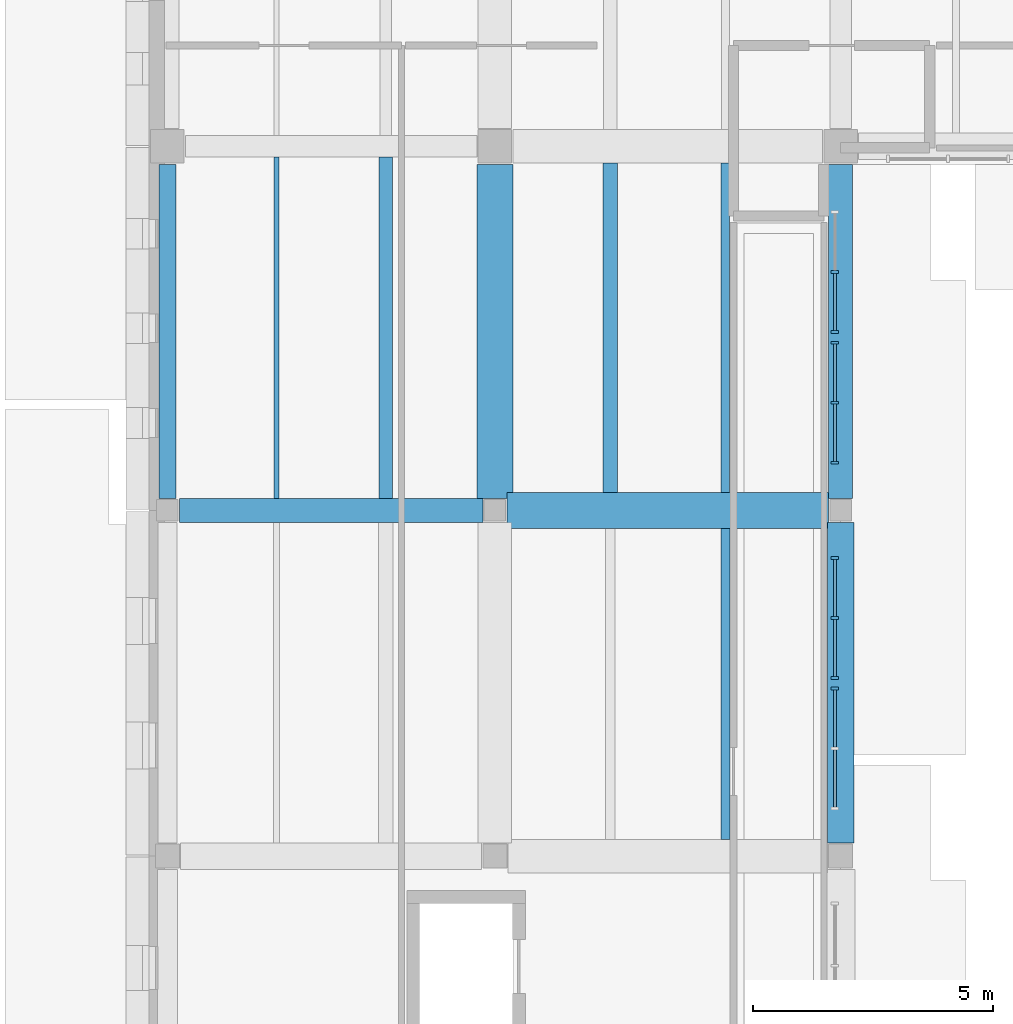
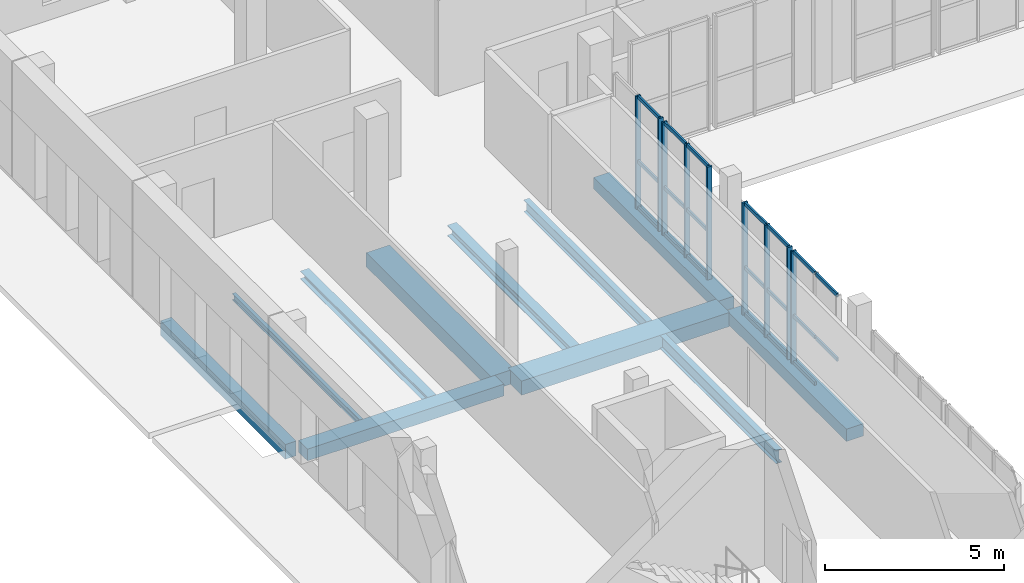
# One storey, part 21 of 77: 29 members, 11 beams, 4 elements without a shape of their own.
"""IFC4 building model written with IfcOpenShell, lengths in metres."""

from ifc_helpers import new_model, si_unit, direction, frame, origin, origin_2d, place, context, subcontext, project, spatial, rectangle, i_section, extrude, material, layer, layer_set, material_profile, profile_set, type_object, element, aggregate, save


model = new_model("IFC4")

# Units and contexts
model_context = context("Model", 3, precision=1e-05, world=origin(), true_north=direction((0.0, 1.0)))
body_context = subcontext(model_context, "Body", "Model", "MODEL_VIEW")
ifc_project = project(units=[si_unit("LENGTHUNIT", "METRE"), si_unit("AREAUNIT", "SQUARE_METRE"), si_unit("VOLUMEUNIT", "CUBIC_METRE"), si_unit("PLANEANGLEUNIT", "RADIAN"), si_unit("MASSUNIT", "GRAM", prefix="KILO")], contexts=[model_context])

# Site, building, storey
site_placement = place(None, origin())
site = spatial("IfcSite", under=ifc_project, at=site_placement, CompositionType="ELEMENT")
building_placement = place(site_placement, origin())
building = spatial("IfcBuilding", under=site, at=building_placement, Name="Vardoun Plaza Health Centre", CompositionType="ELEMENT")
storey_placement = place(building_placement, origin())
storey = spatial("IfcBuildingStorey", under=building, at=storey_placement, Name="L00", CompositionType="ELEMENT", Elevation=0.0)

# Beams
ifc_material_1 = material(Name="Concrete C35/45", Category="concrete")
ifc_material_profile_1 = material_profile(ifc_material_1, rectangle(XDim=0.35009765625, YDim=0.5, at=origin_2d()), Name="RC-BM 350x500")
ifc_profile_set_1 = profile_set([ifc_material_profile_1], Name="Concrete C35/45")
beam_type_1 = type_object("IfcBeamType", Name="B-08", PredefinedType="SPANDREL", material=ifc_profile_set_1)
beam_1_placement = place(storey_placement, frame((4.8798828125, 94.150146484375, -0.514892578125), z_axis=(0.0, 1.0, 0.0), x_axis=(-1.0, 0.0, 0.0)))
element("IfcBeam", 1, at=beam_1_placement, inside=storey, type_object=beam_type_1, Name="V3 L00 Beam B-V3-L00-Y27", PredefinedType="SPANDREL", context=body_context, shape_type="SweptSolid", body=[
    extrude(rectangle(XDim=0.35009765625, YDim=0.5, at=origin_2d()), origin(), (0.0, 0.0, 1.0), 6.954833984375),
])
ifc_material_2 = material(Name="Concrete C35/45", Category="concrete")
ifc_material_profile_2 = material_profile(ifc_material_2, rectangle(XDim=0.5, YDim=0.39990234375, at=origin_2d()), Name="RC-BM 500x400")
ifc_profile_set_2 = profile_set([ifc_material_profile_2], Name="Concrete C35/45")
beam_type_2 = type_object("IfcBeamType", Name="B-02", PredefinedType="BEAM", material=ifc_profile_set_2)
beam_2_placement = place(storey_placement, frame((5.1298828125, 93.900146484375, -0.465087890625), z_axis=(1.0, 0.0, 0.0), x_axis=(0.0, 1.0, 0.0)))
element("IfcBeam", 2, at=beam_2_placement, inside=storey, type_object=beam_type_2, Name="V3 L00 Beam B-V3-L00-X03", PredefinedType="BEAM", context=body_context, shape_type="SweptSolid", body=[
    extrude(rectangle(XDim=0.5, YDim=0.39990234375, at=origin_2d()), origin(), (0.0, 0.0, 1.0), 6.320068359375),
])
beam_3_placement = place(storey_placement, frame((18.89990234375, 94.150146484375, -0.465087890625), z_axis=(0.0, 1.0, 0.0), x_axis=(-1.0, 0.0, 0.0)))
element("IfcBeam", 3, at=beam_3_placement, inside=storey, type_object=beam_type_2, Name="V3 L00 Beam B-V3-L00-Y36", PredefinedType="BEAM", context=body_context, shape_type="SweptSolid", body=[
    extrude(rectangle(XDim=0.5, YDim=0.39990234375, at=origin_2d()), origin(), (0.0, 0.0, 1.0), 6.954833984375),
])
ifc_material_3 = material(Name="Concrete C35/45", Category="concrete")
ifc_material_profile_3 = material_profile(ifc_material_3, rectangle(XDim=0.550048828125, YDim=0.419921875, at=origin_2d()), Name="RC-BM 550x420")
ifc_profile_set_3 = profile_set([ifc_material_profile_3], Name="Concrete C35/45")
beam_type_3 = type_object("IfcBeamType", Name="B-03", PredefinedType="BEAM", material=ifc_profile_set_3)
beam_4_placement = place(storey_placement, frame((18.89990234375, 86.97509765625, -0.47509765625), z_axis=(0.0, 1.0, 0.0), x_axis=(-1.0, 0.0, 0.0)))
element("IfcBeam", 4, at=beam_4_placement, inside=storey, type_object=beam_type_3, Name="V3 L00 Beam B-V3-L00-Y35", PredefinedType="BEAM", context=body_context, shape_type="SweptSolid", body=[
    extrude(rectangle(XDim=0.550048828125, YDim=0.419921875, at=origin_2d()), origin(), (0.0, 0.0, 1.0), 6.675048828125),
])
ifc_material_4 = material(Name="Concrete C35/45", Category="concrete")
ifc_material_profile_4 = material_profile(ifc_material_4, rectangle(XDim=0.75, YDim=0.47998046875, at=origin_2d()), Name="RC-BM 750x480")
ifc_profile_set_4 = profile_set([ifc_material_profile_4], Name="Concrete C35/45")
beam_type_4 = type_object("IfcBeamType", Name="B-07", PredefinedType="BEAM", material=ifc_profile_set_4)
beam_5_placement = place(storey_placement, frame((11.949951171875, 93.900146484375, -0.5048828125), z_axis=(1.0, 0.0, 0.0), x_axis=(0.0, 1.0, 0.0)))
element("IfcBeam", 5, at=beam_5_placement, inside=storey, type_object=beam_type_4, Name="V3 L00 Beam B-V3-L00-X09", PredefinedType="BEAM", context=body_context, shape_type="SweptSolid", body=[
    extrude(rectangle(XDim=0.75, YDim=0.47998046875, at=origin_2d()), origin(), (0.0, 0.0, 1.0), 6.699951171875),
])
beam_6_placement = place(storey_placement, frame((11.699951171875, 94.150146484375, -0.5048828125), z_axis=(0.0, 1.0, 0.0), x_axis=(-1.0, 0.0, 0.0)))
element("IfcBeam", 6, at=beam_6_placement, inside=storey, type_object=beam_type_4, Name="V3 L00 Beam B-V3-L00-Y31", PredefinedType="BEAM", context=body_context, shape_type="SweptSolid", body=[
    extrude(rectangle(XDim=0.75, YDim=0.47998046875, at=origin_2d()), origin(), (0.0, 0.0, 1.0), 6.954833984375),
])
ifc_material_5 = material(Name="Steel S355J2", Category="steel")
ifc_material_profile_5 = material_profile(ifc_material_5, i_section(OverallWidth=0.280029296875, OverallDepth=0.27001953125, WebThickness=0.008056640625, FlangeThickness=0.012939453125, FilletRadius=0.02392578125, at=origin_2d()), Name="HEA 280")
ifc_profile_set_5 = profile_set([ifc_material_profile_5], Name="Steel S355J2")
beam_type_5 = type_object("IfcBeamType", Name="SB-06", PredefinedType="BEAM", material=ifc_profile_set_5)
beam_7_placement = place(storey_placement, frame((9.427001953125, 94.150146484375, -0.39990234375), z_axis=(0.0, 1.0, 0.0), x_axis=(-1.0, 0.0, 0.0)))
element("IfcBeam", 7, at=beam_7_placement, inside=storey, type_object=beam_type_5, Name="V3 L00 Secondary Floor Beam SJ-V3-L00-06", PredefinedType="BEAM", context=body_context, shape_type="SweptSolid", body=[
    extrude(i_section(OverallWidth=0.280029296875, OverallDepth=0.27001953125, WebThickness=0.008056640625, FlangeThickness=0.012939453125, FilletRadius=0.02392578125, at=origin_2d()), origin(), (0.0, 0.0, 1.0), 7.104736328125),
])
ifc_material_6 = material(Name="Steel S355J2", Category="steel")
ifc_material_profile_6 = material_profile(ifc_material_6, i_section(OverallWidth=0.300048828125, OverallDepth=0.360107421875, WebThickness=0.012451171875, FlangeThickness=0.0224609375, FilletRadius=0.027099609375, at=origin_2d()), Name="HEB 360")
ifc_profile_set_6 = profile_set([ifc_material_profile_6], Name="Steel S355J2")
beam_type_6 = type_object("IfcBeamType", Name="RB-04", PredefinedType="BEAM", material=ifc_profile_set_6)
beam_8_placement = place(storey_placement, frame((14.099853515625, 94.275146484375, -0.445068359375), z_axis=(0.0, 1.0, 0.0), x_axis=(-1.0, 0.0, 0.0)))
element("IfcBeam", 8, at=beam_8_placement, inside=storey, type_object=beam_type_6, Name="V3 L00 Secondary Floor Beam SJ-V3-L00-10", PredefinedType="BEAM", context=body_context, shape_type="SweptSolid", body=[
    extrude(i_section(OverallWidth=0.300048828125, OverallDepth=0.360107421875, WebThickness=0.012451171875, FlangeThickness=0.0224609375, FilletRadius=0.027099609375, at=origin_2d()), origin(), (0.0, 0.0, 1.0), 6.854736328125),
])
ifc_material_7 = material(Name="Steel S355J2", Category="steel")
ifc_material_profile_7 = material_profile(ifc_material_7, i_section(OverallWidth=0.110107421875, OverallDepth=0.219970703125, WebThickness=0.005859375, FlangeThickness=0.00927734375, FilletRadius=0.011962890625, at=origin_2d()), Name="IPE 220")
ifc_profile_set_7 = profile_set([ifc_material_profile_7], Name="Steel S355J2")
beam_type_7 = type_object("IfcBeamType", Name="SB-18", PredefinedType="JOIST", material=ifc_profile_set_7)
beam_9_placement = place(storey_placement, frame((7.153076171875, 94.150146484375, -0.375), z_axis=(0.0, 1.0, 0.0), x_axis=(-1.0, 0.0, 0.0)))
element("IfcBeam", 9, at=beam_9_placement, inside=storey, type_object=beam_type_7, Name="V3 L00 Secondary Floor Beam SJ-V3-L00-02", PredefinedType="JOIST", context=body_context, shape_type="SweptSolid", body=[
    extrude(i_section(OverallWidth=0.110107421875, OverallDepth=0.219970703125, WebThickness=0.005859375, FlangeThickness=0.00927734375, FilletRadius=0.011962890625, at=origin_2d()), origin(), (0.0, 0.0, 1.0), 7.104736328125),
])
ifc_material_8 = material(Name="Steel S355J2", Category="steel")
ifc_material_profile_8 = material_profile(ifc_material_8, i_section(OverallWidth=0.179931640625, OverallDepth=0.39990234375, WebThickness=0.008544921875, FlangeThickness=0.013427734375, FilletRadius=0.02099609375, at=origin_2d()), Name="IPE 400")
ifc_profile_set_8 = profile_set([ifc_material_profile_8], Name="Steel S355J2")
beam_type_8 = type_object("IfcBeamType", Name="SB-12", PredefinedType="BEAM", material=ifc_profile_set_8)
beam_10_placement = place(storey_placement, frame((16.500244140625, 94.275146484375, -0.465087890625), z_axis=(0.0, 1.0, 0.0), x_axis=(-1.0, 0.0, 0.0)))
element("IfcBeam", 10, at=beam_10_placement, inside=storey, type_object=beam_type_8, Name="V3 L00 Secondary Floor Beam SJ-V3-L00-14", PredefinedType="BEAM", context=body_context, shape_type="SweptSolid", body=[
    extrude(i_section(OverallWidth=0.179931640625, OverallDepth=0.39990234375, WebThickness=0.008544921875, FlangeThickness=0.013427734375, FilletRadius=0.02099609375, at=origin_2d()), origin(), (0.0, 0.0, 1.0), 6.854736328125),
])
ifc_material_9 = material(Name="Steel S355J2", Category="steel")
ifc_material_profile_9 = material_profile(ifc_material_9, i_section(OverallWidth=0.18994140625, OverallDepth=0.449951171875, WebThickness=0.009521484375, FlangeThickness=0.0146484375, FilletRadius=0.02099609375, at=origin_2d()), Name="IPE 450")
ifc_profile_set_9 = profile_set([ifc_material_profile_9], Name="Steel S355J2")
beam_type_9 = type_object("IfcBeamType", Name="SB-11", PredefinedType="BEAM", material=ifc_profile_set_9)
beam_11_placement = place(storey_placement, frame((16.500244140625, 87.050048828125, -0.489990234375), z_axis=(0.0, 1.0, 0.0), x_axis=(-1.0, 0.0, 0.0)))
element("IfcBeam", 11, at=beam_11_placement, inside=storey, type_object=beam_type_9, Name="V3 L00 Secondary Floor Beam SJ-V3-L00-13", PredefinedType="BEAM", context=body_context, shape_type="SweptSolid", body=[
    extrude(i_section(OverallWidth=0.18994140625, OverallDepth=0.449951171875, WebThickness=0.009521484375, FlangeThickness=0.0146484375, FilletRadius=0.02099609375, at=origin_2d()), origin(), (0.0, 0.0, 1.0), 6.47509765625),
])

# Curtain wall, members
ifc_material_10 = material(Name="Aluminium Alloy EN AW-6063-T6 and Low-E Glass", Category="aluminium")
ifc_layer = layer(ifc_material_10, 0.159912109375)
ifc_layer_set = layer_set([ifc_layer], Name="Aluminium Alloy EN AW-6063-T6 and Low-E Glass")
curtain_wall_type = type_object("IfcCurtainWallType", Name="CW-02", PredefinedType="USERDEFINED", material=ifc_layer_set)
curtain_wall_1_placement = place(storey_placement, origin())
curtain_wall_1 = element("IfcCurtainWall", 12, at=curtain_wall_1_placement, inside=storey, type_object=curtain_wall_type, Name="Curtain Wall CW-V3-053", ObjectType="COURTYARD_CURTAIN_WALL", PredefinedType="USERDEFINED")
ifc_material_11 = material(Name="Aluminium Alloy EN AW-6063-T6", Category="aluminium")
ifc_material_profile_10 = material_profile(ifc_material_11, rectangle(XDim=0.159912109375, YDim=0.06005859375, at=origin_2d()), Name="CWM 60x160")
ifc_profile_set_10 = profile_set([ifc_material_profile_10], Name="Aluminium Alloy EN AW-6063-T6")
member_type_1 = type_object("IfcMemberType", Name="CW-M1", PredefinedType="MULLION", material=ifc_profile_set_10)
member_1_placement = place(storey_placement, frame((18.780029296875, 98.860107421875, 0.0), z_axis=(0.0, 0.0, 1.0), x_axis=(1.0, 0.0, 0.0)))
member_1 = element("IfcMember", 13, at=member_1_placement, type_object=member_type_1, Name="CW-V3-053 mullion 2", PredefinedType="MULLION", context=body_context, shape_type="SweptSolid", body=[
    extrude(rectangle(XDim=0.159912109375, YDim=0.06005859375, at=origin_2d()), origin(), (0.0, 0.0, 1.0), 3.840087890625),
])
member_2_placement = place(storey_placement, frame((18.780029296875, 97.610107421875, 0.0), z_axis=(0.0, 0.0, 1.0), x_axis=(1.0, 0.0, 0.0)))
member_2 = element("IfcMember", 14, at=member_2_placement, type_object=member_type_1, Name="CW-V3-053 mullion 3", PredefinedType="MULLION", context=body_context, shape_type="SweptSolid", body=[
    extrude(rectangle(XDim=0.159912109375, YDim=0.06005859375, at=origin_2d()), origin(), (0.0, 0.0, 1.0), 3.840087890625),
])

curtain_wall_2_placement = place(storey_placement, origin())
curtain_wall_2 = element("IfcCurtainWall", 15, at=curtain_wall_2_placement, inside=storey, type_object=curtain_wall_type, Name="Curtain Wall CW-V3-054", ObjectType="COURTYARD_CURTAIN_WALL", PredefinedType="USERDEFINED")
member_3_placement = place(storey_placement, frame((18.780029296875, 97.389892578125, 0.0), z_axis=(0.0, 0.0, 1.0), x_axis=(1.0, 0.0, 0.0)))
member_3 = element("IfcMember", 16, at=member_3_placement, type_object=member_type_1, Name="CW-V3-054 mullion 1", PredefinedType="MULLION", context=body_context, shape_type="SweptSolid", body=[
    extrude(rectangle(XDim=0.159912109375, YDim=0.06005859375, at=origin_2d()), origin(), (0.0, 0.0, 1.0), 3.840087890625),
])
member_4_placement = place(storey_placement, frame((18.780029296875, 96.139892578125, 0.0), z_axis=(0.0, 0.0, 1.0), x_axis=(1.0, 0.0, 0.0)))
member_4 = element("IfcMember", 17, at=member_4_placement, type_object=member_type_1, Name="CW-V3-054 mullion 2", PredefinedType="MULLION", context=body_context, shape_type="SweptSolid", body=[
    extrude(rectangle(XDim=0.159912109375, YDim=0.06005859375, at=origin_2d()), origin(), (0.0, 0.0, 1.0), 3.840087890625),
])
member_5_placement = place(storey_placement, frame((18.780029296875, 94.889892578125, 0.0), z_axis=(0.0, 0.0, 1.0), x_axis=(1.0, 0.0, 0.0)))
member_5 = element("IfcMember", 18, at=member_5_placement, type_object=member_type_1, Name="CW-V3-054 mullion 3", PredefinedType="MULLION", context=body_context, shape_type="SweptSolid", body=[
    extrude(rectangle(XDim=0.159912109375, YDim=0.06005859375, at=origin_2d()), origin(), (0.0, 0.0, 1.0), 3.840087890625),
])

curtain_wall_3_placement = place(storey_placement, origin())
curtain_wall_3 = element("IfcCurtainWall", 19, at=curtain_wall_3_placement, inside=storey, type_object=curtain_wall_type, Name="Curtain Wall CW-V3-055", ObjectType="COURTYARD_CURTAIN_WALL", PredefinedType="USERDEFINED")
member_6_placement = place(storey_placement, frame((18.780029296875, 92.909912109375, 0.0), z_axis=(0.0, 0.0, 1.0), x_axis=(1.0, 0.0, 0.0)))
member_6 = element("IfcMember", 20, at=member_6_placement, type_object=member_type_1, Name="CW-V3-055 mullion 1", PredefinedType="MULLION", context=body_context, shape_type="SweptSolid", body=[
    extrude(rectangle(XDim=0.159912109375, YDim=0.06005859375, at=origin_2d()), origin(), (0.0, 0.0, 1.0), 3.820068359375),
])
member_7_placement = place(storey_placement, frame((18.780029296875, 91.659912109375, 0.0), z_axis=(0.0, 0.0, 1.0), x_axis=(1.0, 0.0, 0.0)))
member_7 = element("IfcMember", 21, at=member_7_placement, type_object=member_type_1, Name="CW-V3-055 mullion 2", PredefinedType="MULLION", context=body_context, shape_type="SweptSolid", body=[
    extrude(rectangle(XDim=0.159912109375, YDim=0.06005859375, at=origin_2d()), origin(), (0.0, 0.0, 1.0), 3.820068359375),
])
member_8_placement = place(storey_placement, frame((18.780029296875, 90.409912109375, 0.0), z_axis=(0.0, 0.0, 1.0), x_axis=(1.0, 0.0, 0.0)))
member_8 = element("IfcMember", 22, at=member_8_placement, type_object=member_type_1, Name="CW-V3-055 mullion 3", PredefinedType="MULLION", context=body_context, shape_type="SweptSolid", body=[
    extrude(rectangle(XDim=0.159912109375, YDim=0.06005859375, at=origin_2d()), origin(), (0.0, 0.0, 1.0), 3.820068359375),
])

# Curtain wall, member
curtain_wall_4_placement = place(storey_placement, origin())
curtain_wall_4 = element("IfcCurtainWall", 23, at=curtain_wall_4_placement, inside=storey, type_object=curtain_wall_type, Name="Curtain Wall CW-V3-056", ObjectType="COURTYARD_CURTAIN_WALL", PredefinedType="USERDEFINED")
member_9_placement = place(storey_placement, frame((18.780029296875, 90.190185546875, 0.0), z_axis=(0.0, 0.0, 1.0), x_axis=(1.0, 0.0, 0.0)))
member_9 = element("IfcMember", 24, at=member_9_placement, type_object=member_type_1, Name="CW-V3-056 mullion 1", PredefinedType="MULLION", context=body_context, shape_type="SweptSolid", body=[
    extrude(rectangle(XDim=0.159912109375, YDim=0.06005859375, at=origin_2d()), origin(), (0.0, 0.0, 1.0), 3.820068359375),
])

# Member
ifc_material_12 = material(Name="Aluminium Alloy EN AW-6063-T6", Category="aluminium")
ifc_material_profile_11 = material_profile(ifc_material_12, rectangle(XDim=0.06005859375, YDim=0.1201171875, at=origin_2d()), Name="CWT 60x120")
ifc_profile_set_11 = profile_set([ifc_material_profile_11], Name="Aluminium Alloy EN AW-6063-T6")
member_type_2 = type_object("IfcMemberType", Name="CW-T1", PredefinedType="USERDEFINED", material=ifc_profile_set_11)
member_10_placement = place(storey_placement, frame((18.780029296875, 98.830078125, 0.030029296875), z_axis=(0.0, -1.0, 0.0), x_axis=(1.0, 0.0, 0.0)))
member_10 = element("IfcMember", 25, at=member_10_placement, type_object=member_type_2, Name="CW-V3-053 transom 2.1", ObjectType="TRANSOM", PredefinedType="USERDEFINED", context=body_context, shape_type="SweptSolid", body=[
    extrude(rectangle(XDim=0.06005859375, YDim=0.1201171875, at=origin_2d()), origin(), (0.0, 0.0, 1.0), 1.190185546875),
])

member_11_placement = place(storey_placement, frame((18.780029296875, 98.830078125, 1.61279296875), z_axis=(0.0, -1.0, 0.0), x_axis=(1.0, 0.0, 0.0)))
member_11 = element("IfcMember", 26, at=member_11_placement, type_object=member_type_2, Name="CW-V3-053 transom 2.2", ObjectType="TRANSOM", PredefinedType="USERDEFINED", context=body_context, shape_type="SweptSolid", body=[
    extrude(rectangle(XDim=0.06005859375, YDim=0.1201171875, at=origin_2d()), origin(), (0.0, 0.0, 1.0), 1.190185546875),
])

member_12_placement = place(storey_placement, frame((18.780029296875, 98.830078125, 3.81005859375), z_axis=(0.0, -1.0, 0.0), x_axis=(1.0, 0.0, 0.0)))
member_12 = element("IfcMember", 27, at=member_12_placement, type_object=member_type_2, Name="CW-V3-053 transom 2.3", ObjectType="TRANSOM", PredefinedType="USERDEFINED", context=body_context, shape_type="SweptSolid", body=[
    extrude(rectangle(XDim=0.06005859375, YDim=0.1201171875, at=origin_2d()), origin(), (0.0, 0.0, 1.0), 1.190185546875),
])

aggregate(curtain_wall_1, [member_1, member_2, member_10, member_11, member_12])

member_13_placement = place(storey_placement, frame((18.780029296875, 97.360107421875, 0.030029296875), z_axis=(0.0, -1.0, 0.0), x_axis=(1.0, 0.0, 0.0)))
member_13 = element("IfcMember", 28, at=member_13_placement, type_object=member_type_2, Name="CW-V3-054 transom 1.1", ObjectType="TRANSOM", PredefinedType="USERDEFINED", context=body_context, shape_type="SweptSolid", body=[
    extrude(rectangle(XDim=0.06005859375, YDim=0.1201171875, at=origin_2d()), origin(), (0.0, 0.0, 1.0), 1.190185546875),
])

member_14_placement = place(storey_placement, frame((18.780029296875, 97.360107421875, 1.61279296875), z_axis=(0.0, -1.0, 0.0), x_axis=(1.0, 0.0, 0.0)))
member_14 = element("IfcMember", 29, at=member_14_placement, type_object=member_type_2, Name="CW-V3-054 transom 1.2", ObjectType="TRANSOM", PredefinedType="USERDEFINED", context=body_context, shape_type="SweptSolid", body=[
    extrude(rectangle(XDim=0.06005859375, YDim=0.1201171875, at=origin_2d()), origin(), (0.0, 0.0, 1.0), 1.190185546875),
])

member_15_placement = place(storey_placement, frame((18.780029296875, 97.360107421875, 3.81005859375), z_axis=(0.0, -1.0, 0.0), x_axis=(1.0, 0.0, 0.0)))
member_15 = element("IfcMember", 30, at=member_15_placement, type_object=member_type_2, Name="CW-V3-054 transom 1.3", ObjectType="TRANSOM", PredefinedType="USERDEFINED", context=body_context, shape_type="SweptSolid", body=[
    extrude(rectangle(XDim=0.06005859375, YDim=0.1201171875, at=origin_2d()), origin(), (0.0, 0.0, 1.0), 1.190185546875),
])

member_16_placement = place(storey_placement, frame((18.780029296875, 96.110107421875, 0.030029296875), z_axis=(0.0, -1.0, 0.0), x_axis=(1.0, 0.0, 0.0)))
member_16 = element("IfcMember", 31, at=member_16_placement, type_object=member_type_2, Name="CW-V3-054 transom 2.1", ObjectType="TRANSOM", PredefinedType="USERDEFINED", context=body_context, shape_type="SweptSolid", body=[
    extrude(rectangle(XDim=0.06005859375, YDim=0.1201171875, at=origin_2d()), origin(), (0.0, 0.0, 1.0), 1.190185546875),
])

member_17_placement = place(storey_placement, frame((18.780029296875, 96.110107421875, 1.61279296875), z_axis=(0.0, -1.0, 0.0), x_axis=(1.0, 0.0, 0.0)))
member_17 = element("IfcMember", 32, at=member_17_placement, type_object=member_type_2, Name="CW-V3-054 transom 2.2", ObjectType="TRANSOM", PredefinedType="USERDEFINED", context=body_context, shape_type="SweptSolid", body=[
    extrude(rectangle(XDim=0.06005859375, YDim=0.1201171875, at=origin_2d()), origin(), (0.0, 0.0, 1.0), 1.190185546875),
])

member_18_placement = place(storey_placement, frame((18.780029296875, 96.110107421875, 3.81005859375), z_axis=(0.0, -1.0, 0.0), x_axis=(1.0, 0.0, 0.0)))
member_18 = element("IfcMember", 33, at=member_18_placement, type_object=member_type_2, Name="CW-V3-054 transom 2.3", ObjectType="TRANSOM", PredefinedType="USERDEFINED", context=body_context, shape_type="SweptSolid", body=[
    extrude(rectangle(XDim=0.06005859375, YDim=0.1201171875, at=origin_2d()), origin(), (0.0, 0.0, 1.0), 1.190185546875),
])

aggregate(curtain_wall_2, [member_3, member_4, member_5, member_13, member_14, member_15, member_16, member_17, member_18])

member_19_placement = place(storey_placement, frame((18.780029296875, 92.8798828125, 0.030029296875), z_axis=(0.0, -1.0, 0.0), x_axis=(1.0, 0.0, 0.0)))
member_19 = element("IfcMember", 34, at=member_19_placement, type_object=member_type_2, Name="CW-V3-055 transom 1.1", ObjectType="TRANSOM", PredefinedType="USERDEFINED", context=body_context, shape_type="SweptSolid", body=[
    extrude(rectangle(XDim=0.06005859375, YDim=0.1201171875, at=origin_2d()), origin(), (0.0, 0.0, 1.0), 1.189697265625),
])

member_20_placement = place(storey_placement, frame((18.780029296875, 92.8798828125, 1.6044921875), z_axis=(0.0, -1.0, 0.0), x_axis=(1.0, 0.0, 0.0)))
member_20 = element("IfcMember", 35, at=member_20_placement, type_object=member_type_2, Name="CW-V3-055 transom 1.2", ObjectType="TRANSOM", PredefinedType="USERDEFINED", context=body_context, shape_type="SweptSolid", body=[
    extrude(rectangle(XDim=0.06005859375, YDim=0.1201171875, at=origin_2d()), origin(), (0.0, 0.0, 1.0), 1.189697265625),
])

member_21_placement = place(storey_placement, frame((18.780029296875, 92.8798828125, 3.7900390625), z_axis=(0.0, -1.0, 0.0), x_axis=(1.0, 0.0, 0.0)))
member_21 = element("IfcMember", 36, at=member_21_placement, type_object=member_type_2, Name="CW-V3-055 transom 1.3", ObjectType="TRANSOM", PredefinedType="USERDEFINED", context=body_context, shape_type="SweptSolid", body=[
    extrude(rectangle(XDim=0.06005859375, YDim=0.1201171875, at=origin_2d()), origin(), (0.0, 0.0, 1.0), 1.189697265625),
])

member_22_placement = place(storey_placement, frame((18.780029296875, 91.6298828125, 0.030029296875), z_axis=(0.0, -1.0, 0.0), x_axis=(1.0, 0.0, 0.0)))
member_22 = element("IfcMember", 37, at=member_22_placement, type_object=member_type_2, Name="CW-V3-055 transom 2.1", ObjectType="TRANSOM", PredefinedType="USERDEFINED", context=body_context, shape_type="SweptSolid", body=[
    extrude(rectangle(XDim=0.06005859375, YDim=0.1201171875, at=origin_2d()), origin(), (0.0, 0.0, 1.0), 1.189697265625),
])

member_23_placement = place(storey_placement, frame((18.780029296875, 91.6298828125, 1.6044921875), z_axis=(0.0, -1.0, 0.0), x_axis=(1.0, 0.0, 0.0)))
member_23 = element("IfcMember", 38, at=member_23_placement, type_object=member_type_2, Name="CW-V3-055 transom 2.2", ObjectType="TRANSOM", PredefinedType="USERDEFINED", context=body_context, shape_type="SweptSolid", body=[
    extrude(rectangle(XDim=0.06005859375, YDim=0.1201171875, at=origin_2d()), origin(), (0.0, 0.0, 1.0), 1.189697265625),
])

member_24_placement = place(storey_placement, frame((18.780029296875, 91.6298828125, 3.7900390625), z_axis=(0.0, -1.0, 0.0), x_axis=(1.0, 0.0, 0.0)))
member_24 = element("IfcMember", 39, at=member_24_placement, type_object=member_type_2, Name="CW-V3-055 transom 2.3", ObjectType="TRANSOM", PredefinedType="USERDEFINED", context=body_context, shape_type="SweptSolid", body=[
    extrude(rectangle(XDim=0.06005859375, YDim=0.1201171875, at=origin_2d()), origin(), (0.0, 0.0, 1.0), 1.189697265625),
])

aggregate(curtain_wall_3, [member_6, member_7, member_8, member_19, member_20, member_21, member_22, member_23, member_24])

member_25_placement = place(storey_placement, frame((18.780029296875, 90.159912109375, 0.030029296875), z_axis=(0.0, -1.0, 0.0), x_axis=(1.0, 0.0, 0.0)))
member_25 = element("IfcMember", 40, at=member_25_placement, type_object=member_type_2, Name="CW-V3-056 transom 1.1", ObjectType="TRANSOM", PredefinedType="USERDEFINED", context=body_context, shape_type="SweptSolid", body=[
    extrude(rectangle(XDim=0.06005859375, YDim=0.1201171875, at=origin_2d()), origin(), (0.0, 0.0, 1.0), 1.18994140625),
])

member_26_placement = place(storey_placement, frame((18.780029296875, 90.159912109375, 1.6044921875), z_axis=(0.0, -1.0, 0.0), x_axis=(1.0, 0.0, 0.0)))
member_26 = element("IfcMember", 41, at=member_26_placement, type_object=member_type_2, Name="CW-V3-056 transom 1.2", ObjectType="TRANSOM", PredefinedType="USERDEFINED", context=body_context, shape_type="SweptSolid", body=[
    extrude(rectangle(XDim=0.06005859375, YDim=0.1201171875, at=origin_2d()), origin(), (0.0, 0.0, 1.0), 1.18994140625),
])

member_27_placement = place(storey_placement, frame((18.780029296875, 90.159912109375, 3.7900390625), z_axis=(0.0, -1.0, 0.0), x_axis=(1.0, 0.0, 0.0)))
member_27 = element("IfcMember", 42, at=member_27_placement, type_object=member_type_2, Name="CW-V3-056 transom 1.3", ObjectType="TRANSOM", PredefinedType="USERDEFINED", context=body_context, shape_type="SweptSolid", body=[
    extrude(rectangle(XDim=0.06005859375, YDim=0.1201171875, at=origin_2d()), origin(), (0.0, 0.0, 1.0), 1.18994140625),
])

member_28_placement = place(storey_placement, frame((18.780029296875, 88.909912109375, 1.6044921875), z_axis=(0.0, -1.0, 0.0), x_axis=(1.0, 0.0, 0.0)))
member_28 = element("IfcMember", 43, at=member_28_placement, type_object=member_type_2, Name="CW-V3-056 transom 2.2", ObjectType="TRANSOM", PredefinedType="USERDEFINED", context=body_context, shape_type="SweptSolid", body=[
    extrude(rectangle(XDim=0.06005859375, YDim=0.1201171875, at=origin_2d()), origin(), (0.0, 0.0, 1.0), 1.18994140625),
])

member_29_placement = place(storey_placement, frame((18.780029296875, 88.909912109375, 3.7900390625), z_axis=(0.0, -1.0, 0.0), x_axis=(1.0, 0.0, 0.0)))
member_29 = element("IfcMember", 44, at=member_29_placement, type_object=member_type_2, Name="CW-V3-056 transom 2.3", ObjectType="TRANSOM", PredefinedType="USERDEFINED", context=body_context, shape_type="SweptSolid", body=[
    extrude(rectangle(XDim=0.06005859375, YDim=0.1201171875, at=origin_2d()), origin(), (0.0, 0.0, 1.0), 1.18994140625),
])

aggregate(curtain_wall_4, [member_9, member_25, member_26, member_27, member_28, member_29])

save(model, "model.ifc")
